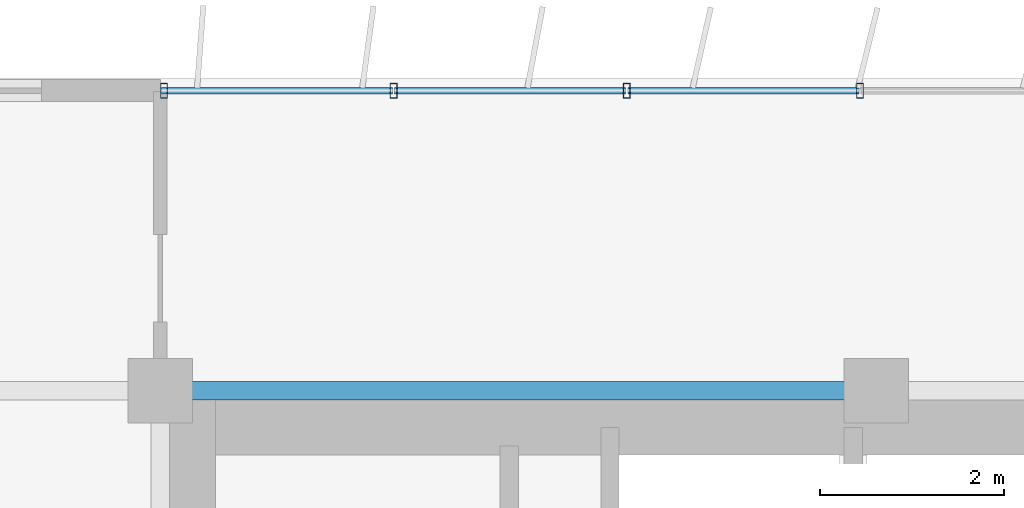
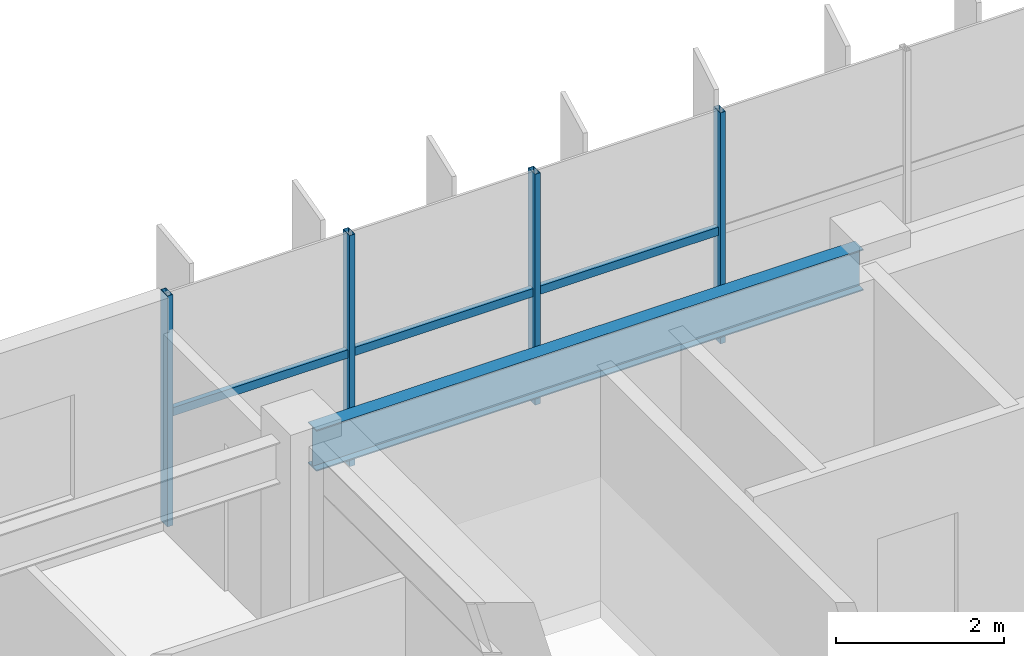
# One storey, part 4 of 21: 7 members, 1 beam, 1 element without a shape of its own.
"""IFC4 building model written with IfcOpenShell, lengths in metres."""

import ifcopenshell
import ifcopenshell.guid

model = None  # the IFC model being written
_history = None  # IfcOwnerHistory: only IFC2X3 demands one
_inside = {}  # id of a spatial element -> (the spatial element, [elements in it])
_under = {}  # id of a project, library or spatial element -> (it, [spatial elements below it])
_declared = {}  # id of a project -> (the project, [libraries it declares])
_typed = {}  # id of a type object -> (the type object, [elements of that type])
_made_of = {}  # id of a material, layer set ... -> (it, [elements and type objects made of it])


def new_model(schema):
    """Start an empty IFC model of exactly this schema.

    Asked for "IFC4X3", IfcOpenShell would pick the latest addendum, in which some entities
    have other attributes; the version numbers below select the first issue.
    IFC2X3 requires an IfcOwnerHistory on every rooted entity: one is made here for all.
    """
    global model, _history
    if schema == "IFC4X3":
        model = ifcopenshell.file(schema_version=(4, 3, 0, 0))
    else:
        model = ifcopenshell.file(schema=schema)
    _inside.clear()
    _under.clear()
    _declared.clear()
    _typed.clear()
    _made_of.clear()
    _history = None
    if model.schema == "IFC2X3":
        org = make("IfcOrganization", Name="unknown")
        user = make(
            "IfcPersonAndOrganization",
            ThePerson=make("IfcPerson", FamilyName="unknown"),
            TheOrganization=org,
        )
        app = make(
            "IfcApplication",
            ApplicationDeveloper=org,
            Version="unknown",
            ApplicationFullName="unknown",
            ApplicationIdentifier="unknown",
        )
        _history = make(
            "IfcOwnerHistory",
            OwningUser=user,
            OwningApplication=app,
            ChangeAction="ADDED",
            CreationDate=0,
        )
    return model


def make(cls, **values):
    """One entity of the class cls with the attributes given. An attribute that is None is left unset."""
    return model.create_entity(
        cls, **{name: value for name, value in values.items() if value is not None}
    )


def rooted(cls, **values):
    """An entity with a GlobalId (a new one), such as an element, a storey or a relation."""
    return make(cls, GlobalId=ifcopenshell.guid.new(), OwnerHistory=_history, **values)


def si_unit(unit_type, name, prefix=None):
    """IfcSIUnit, for example si_unit("LENGTHUNIT", "METRE", prefix="MILLI")."""
    return make("IfcSIUnit", UnitType=unit_type, Prefix=prefix, Name=name)


def assignment(units):
    """IfcUnitAssignment: the units of a project."""
    return None if units is None else make("IfcUnitAssignment", Units=units)


def point(xyz):
    """IfcCartesianPoint."""
    return None if xyz is None else make("IfcCartesianPoint", Coordinates=xyz)


def direction(xyz):
    """IfcDirection."""
    return None if xyz is None else make("IfcDirection", DirectionRatios=xyz)


def frame(location, z_axis=None, x_axis=None):
    """IfcAxis2Placement3D, a coordinate frame: its origin and axes. An axis left out is left unset."""
    return make(
        "IfcAxis2Placement3D",
        Location=point(location),
        Axis=direction(z_axis),
        RefDirection=direction(x_axis),
    )


def frame_2d(location, x_axis=None):
    """IfcAxis2Placement2D, a coordinate frame in the plane: its origin and x axis."""
    return make(
        "IfcAxis2Placement2D", Location=point(location), RefDirection=direction(x_axis)
    )


def origin():
    """The frame at (0, 0, 0) with its axes left unset."""
    return frame((0.0, 0.0, 0.0))


def origin_2d():
    """The frame at (0, 0) in the plane with its x axis left unset."""
    return frame_2d((0.0, 0.0))


def place(relative_to, where):
    """IfcLocalPlacement: puts the frame where relative to a parent placement (None: the world)."""
    return make(
        "IfcLocalPlacement", PlacementRelTo=relative_to, RelativePlacement=where
    )


def context(
    kind, dimensions, precision=None, world=None, true_north=None, identifier=None
):
    """IfcGeometricRepresentationContext, for example the 3D "Model" context."""
    return make(
        "IfcGeometricRepresentationContext",
        ContextIdentifier=identifier,
        ContextType=kind,
        CoordinateSpaceDimension=dimensions,
        Precision=precision,
        WorldCoordinateSystem=world,
        TrueNorth=true_north,
    )


def subcontext(parent, identifier, kind, view, scale=None):
    """IfcGeometricRepresentationSubContext, for example "Body" below "Model"."""
    return make(
        "IfcGeometricRepresentationSubContext",
        ContextIdentifier=identifier,
        ContextType=kind,
        ParentContext=parent,
        TargetScale=scale,
        TargetView=view,
    )


def project(units=None, contexts=None):
    """IfcProject with its units and contexts."""
    return rooted(
        "IfcProject",
        Name="project",
        RepresentationContexts=contexts,
        UnitsInContext=assignment(units),
    )


def spatial(cls, under=None, at=None, **own):
    """A site, building, storey or space (cls), placed at a placement, below another one or the project."""
    s = rooted(cls, ObjectPlacement=at, **own)
    if under is not None:
        _under.setdefault(under.id(), (under, []))[1].append(s)
    return s


def profile(cls, at=None, kind="AREA", **sizes):
    """A parametric profile (cls). Its sizes go by their IFC names, for example OverallWidth=200.0."""
    return make(cls, ProfileType=kind, Position=at, **sizes)


def hollow_rectangle(**sizes):
    """IfcRectangleHollowProfileDef."""
    return profile("IfcRectangleHollowProfileDef", **sizes)


def i_section(**sizes):
    """IfcIShapeProfileDef."""
    return profile("IfcIShapeProfileDef", **sizes)


def extrude(swept, where, along, depth):
    """IfcExtrudedAreaSolid: the profile swept, set in the frame where, extruded along a direction by depth."""
    return make(
        "IfcExtrudedAreaSolid",
        SweptArea=swept,
        Position=where,
        ExtrudedDirection=direction(along),
        Depth=depth,
    )


def shape(context_of_items, identifier, shape_type, items):
    """IfcShapeRepresentation: the items that make up one representation, for example the "Body"."""
    return make(
        "IfcShapeRepresentation",
        ContextOfItems=context_of_items,
        RepresentationIdentifier=identifier,
        RepresentationType=shape_type,
        Items=items,
    )


def source(mapping_origin, context_of_items, identifier, shape_type, items):
    """IfcRepresentationMap: a shape defined once, which mapped items show again and again."""
    return make(
        "IfcRepresentationMap",
        MappingOrigin=mapping_origin,
        MappedRepresentation=shape(context_of_items, identifier, shape_type, items),
    )


def transform(
    local_origin,
    x_axis=None,
    y_axis=None,
    z_axis=None,
    scale=None,
    scale2=None,
    scale3=None,
    uniform=True,
):
    """IfcCartesianTransformationOperator3D, or its non-uniform kind. x_axis, y_axis, z_axis: its Axis1, 2, 3."""
    if uniform:
        return make(
            "IfcCartesianTransformationOperator3D",
            Axis1=direction(x_axis),
            Axis2=direction(y_axis),
            LocalOrigin=point(local_origin),
            Scale=scale,
            Axis3=direction(z_axis),
        )
    return make(
        "IfcCartesianTransformationOperator3DnonUniform",
        Axis1=direction(x_axis),
        Axis2=direction(y_axis),
        LocalOrigin=point(local_origin),
        Scale=scale,
        Axis3=direction(z_axis),
        Scale2=scale2,
        Scale3=scale3,
    )


def mapped(mapping_source, mapping_target):
    """IfcMappedItem: shows the shape of a source again, moved by a transform."""
    return make(
        "IfcMappedItem", MappingSource=mapping_source, MappingTarget=mapping_target
    )


def material(Name=None, Category=None):
    """IfcMaterial."""
    return make("IfcMaterial", Name=Name, Category=Category)


def material_profile(
    of_material, cross_section, Name=None, Category=None, Priority=None
):
    """IfcMaterialProfile: a cross section and its material."""
    return make(
        "IfcMaterialProfile",
        Name=Name,
        Material=of_material,
        Profile=cross_section,
        Priority=Priority,
        Category=Category,
    )


def profile_set(profiles, Name=None, composite=None):
    """IfcMaterialProfileSet."""
    return make(
        "IfcMaterialProfileSet",
        Name=Name,
        MaterialProfiles=profiles,
        CompositeProfile=composite,
    )


def made_of(thing, what):
    """Note that an element or type object is made of a material, layer set ...; save() writes the relation."""
    if what is not None:
        _made_of.setdefault(what.id(), (what, []))[1].append(thing)
    return thing


def type_object(cls, material=None, **own):
    """A type object (cls), such as IfcWallType, which elements share."""
    return made_of(rooted(cls, **own), material)


def element(
    cls,
    number,
    at=None,
    inside=None,
    cuts=None,
    type_object=None,
    material=None,
    context=None,
    identifier="Body",
    shape_type=None,
    held_by="IfcProductDefinitionShape",
    body=None,
    shapes=None,
    **own,
):
    """One element of the class cls, such as IfcWall. Its Tag is "e" and its number.

    at: its placement. inside: the storey or other place that contains it. cuts: it is an
    opening in that element (IfcRelVoidsElement). A single representation is given by context,
    identifier, shape_type and body (its items); several are given by shapes. held_by: the class
    of the entity that holds the representations. save() writes the other relations.
    """
    e = rooted(cls, Tag="e%d" % number, ObjectPlacement=at, **own)
    if body is not None:
        shapes = [shape(context, identifier, shape_type, body)]
    if shapes is not None:
        e.Representation = make(held_by, Representations=shapes)
    if inside is not None:
        _inside.setdefault(inside.id(), (inside, []))[1].append(e)
    if cuts is not None:
        rooted(
            "IfcRelVoidsElement", RelatingBuildingElement=cuts, RelatedOpeningElement=e
        )
    if type_object is not None:
        _typed.setdefault(type_object.id(), (type_object, []))[1].append(e)
    return made_of(e, material)


def aggregate(whole, parts):
    """IfcRelAggregates: a whole, such as a stair, and the parts it consists of."""
    return rooted("IfcRelAggregates", RelatingObject=whole, RelatedObjects=parts)


def save(model, path):
    """Write the relations noted so far, then the file.

    IfcRelAggregates (storeys below a building ...), IfcRelContainedInSpatialStructure (elements
    in a storey), IfcRelDefinesByType, IfcRelAssociatesMaterial and IfcRelDeclares: one each for
    every whole, place, type object, material and project.
    """
    for whole, parts in _under.values():
        aggregate(whole, parts)
    for where, things in _inside.values():
        rooted(
            "IfcRelContainedInSpatialStructure",
            RelatedElements=things,
            RelatingStructure=where,
        )
    for kind, things in _typed.values():
        rooted("IfcRelDefinesByType", RelatedObjects=things, RelatingType=kind)
    for what, things in _made_of.values():
        rooted("IfcRelAssociatesMaterial", RelatedObjects=things, RelatingMaterial=what)
    for by, libraries in _declared.values():
        rooted("IfcRelDeclares", RelatingContext=by, RelatedDefinitions=libraries)
    model.write(path)


model = new_model("IFC4")

# Units and contexts
model_context = context("Model", 3, precision=1e-05, world=origin(), true_north=direction((0.0, 1.0)))
body_context = subcontext(model_context, "Body", "Model", "MODEL_VIEW")
ifc_project = project(units=[si_unit("LENGTHUNIT", "METRE"), si_unit("AREAUNIT", "SQUARE_METRE"), si_unit("VOLUMEUNIT", "CUBIC_METRE"), si_unit("PLANEANGLEUNIT", "RADIAN"), si_unit("MASSUNIT", "GRAM", prefix="KILO")], contexts=[model_context])

# Site, building, storey
site_placement = place(None, origin())
site = spatial("IfcSite", under=ifc_project, at=site_placement, CompositionType="ELEMENT")
building_placement = place(site_placement, origin())
building = spatial("IfcBuilding", under=site, at=building_placement, Name="Trelvane Seafront Commons", CompositionType="ELEMENT")
storey_placement = place(building_placement, frame((0.0, 0.0, 135.699951171875)))
storey = spatial("IfcBuildingStorey", under=building, at=storey_placement, Name="L35", CompositionType="ELEMENT", Elevation=135.699951171875)

# Beam
ifc_material_1 = material(Name="Steel SM355 (S355)", Category="steel")
ifc_material_profile_1 = material_profile(ifc_material_1, i_section(OverallWidth=0.199951171875, OverallDepth=0.60009765625, WebThickness=0.010986328125, FlangeThickness=0.01708984375, at=origin_2d()), Name="H-600x200x11x17")
ifc_profile_set_1 = profile_set([ifc_material_profile_1], Name="Steel SM355 (S355)")
beam_type = type_object("IfcBeamType", Name="STR-SPD-H600", PredefinedType="SPANDREL", material=ifc_profile_set_1)
shared_shape_1 = source(origin(), body_context, "Body", "SweptSolid", [
    extrude(i_section(OverallWidth=0.199951171875, OverallDepth=0.60009765625, WebThickness=0.010986328125, FlangeThickness=0.01708984375, at=origin_2d()), origin(), (0.0, 0.0, 1.0), 7.5),
])
beam_placement = place(storey_placement, frame((15.75, 45.10009765625, 3.050048828125), z_axis=(1.0, 0.0, 0.0), x_axis=(0.0, 1.0, 0.0)))
element("IfcBeam", 1, at=beam_placement, inside=storey, type_object=beam_type, Name="L35 Primary Girder G-23", PredefinedType="SPANDREL", context=body_context, shape_type="MappedRepresentation", body=[
    mapped(shared_shape_1, transform((0.0, 0.0, 0.0), x_axis=(1.0, 0.0, 0.0), y_axis=(0.0, 1.0, 0.0), z_axis=(0.0, 0.0, 1.0), scale=1.0)),
])

# Curtain wall, members
ifc_material_2 = material(Name="Anodised pale-silver aluminium", Category="aluminium")
curtain_wall_type = type_object("IfcCurtainWallType", Name="ARCH-CW5-UPTOWER", PredefinedType="NOTDEFINED", material=ifc_material_2)
curtain_wall_placement = place(storey_placement, origin())
curtain_wall = element("IfcCurtainWall", 2, at=curtain_wall_placement, inside=storey, type_object=curtain_wall_type, Name="CW-L35-0062", PredefinedType="NOTDEFINED")
ifc_material_profile_2 = material_profile(ifc_material_2, hollow_rectangle(XDim=0.070068359375, YDim=0.1201171875, WallThickness=0.00390625, at=origin_2d()), Name="TRAN-70x120x4")
ifc_profile_set_2 = profile_set([ifc_material_profile_2], Name="Anodised pale-silver aluminium")
member_type_1 = type_object("IfcMemberType", Name="ARCH-CW-TRAN-120", PredefinedType="USERDEFINED", material=ifc_profile_set_2)
shared_shape_2 = source(origin(), body_context, "Body", "SweptSolid", [
    extrude(hollow_rectangle(XDim=0.070068359375, YDim=0.1201171875, WallThickness=0.00390625, at=origin_2d()), origin(), (0.0, 0.0, 1.0), 2.51708984375),
])
member_1_placement = place(storey_placement, frame((15.612060546875, 48.3701171875, 1.608154296875), z_axis=(1.0, 0.0, 0.0), x_axis=(0.0, 1.0, 0.0)))
member_1 = element("IfcMember", 3, at=member_1_placement, type_object=member_type_1, Name="CW-L35-0062-T00", ObjectType="TRANSOM", PredefinedType="USERDEFINED", context=body_context, shape_type="MappedRepresentation", body=[
    mapped(shared_shape_2, transform((0.0, 0.0, 0.0), x_axis=(1.0, 0.0, 0.0), y_axis=(0.0, 1.0, 0.0), z_axis=(0.0, 0.0, 1.0), scale=1.0)),
])
member_2_placement = place(storey_placement, frame((18.1533203125, 48.3701171875, 1.608154296875), z_axis=(1.0, 0.0, 0.0), x_axis=(0.0, 1.0, 0.0)))
member_2 = element("IfcMember", 4, at=member_2_placement, type_object=member_type_1, Name="CW-L35-0062-T01", ObjectType="TRANSOM", PredefinedType="USERDEFINED", context=body_context, shape_type="MappedRepresentation", body=[
    mapped(shared_shape_2, transform((0.0, 0.0, 0.0), x_axis=(1.0, 0.0, 0.0), y_axis=(0.0, 1.0, 0.0), z_axis=(0.0, 0.0, 1.0), scale=1.0)),
])
member_3_placement = place(storey_placement, frame((20.6943359375, 48.3701171875, 1.608154296875), z_axis=(1.0, 0.0, 0.0), x_axis=(0.0, 1.0, 0.0)))
member_3 = element("IfcMember", 5, at=member_3_placement, type_object=member_type_1, Name="CW-L35-0062-T02", ObjectType="TRANSOM", PredefinedType="USERDEFINED", context=body_context, shape_type="MappedRepresentation", body=[
    mapped(shared_shape_2, transform((0.0, 0.0, 0.0), x_axis=(1.0, 0.0, 0.0), y_axis=(0.0, 1.0, 0.0), z_axis=(0.0, 0.0, 1.0), scale=1.0)),
])
ifc_material_profile_3 = material_profile(ifc_material_2, hollow_rectangle(XDim=0.074951171875, YDim=0.159912109375, WallThickness=0.00390625, at=origin_2d()), Name="MULL-75x160x4")
ifc_profile_set_3 = profile_set([ifc_material_profile_3], Name="Anodised pale-silver aluminium")
member_type_2 = type_object("IfcMemberType", Name="ARCH-CW-MULL-160", PredefinedType="MULLION", material=ifc_profile_set_3)
shared_shape_3 = source(origin(), body_context, "Body", "SweptSolid", [
    extrude(hollow_rectangle(XDim=0.074951171875, YDim=0.159912109375, WallThickness=0.00390625, at=origin_2d()), origin(), (0.0, 0.0, 1.0), 3.35009765625),
])
member_4_placement = place(storey_placement, frame((15.639892578125, 48.3701171875, 0.0), z_axis=(0.0, 0.0, 1.0), x_axis=(1.0, 0.0, 0.0)))
member_4 = element("IfcMember", 6, at=member_4_placement, type_object=member_type_2, Name="CW-L35-0062-M00", PredefinedType="MULLION", context=body_context, shape_type="MappedRepresentation", body=[
    mapped(shared_shape_3, transform((0.0, 0.0, 0.0), x_axis=(1.0, 0.0, 0.0), y_axis=(0.0, 1.0, 0.0), z_axis=(0.0, 0.0, 1.0), scale=1.0)),
])
member_5_placement = place(storey_placement, frame((18.14111328125, 48.3701171875, 0.0), z_axis=(0.0, 0.0, 1.0), x_axis=(1.0, 0.0, 0.0)))
member_5 = element("IfcMember", 7, at=member_5_placement, type_object=member_type_2, Name="CW-L35-0062-M01", PredefinedType="MULLION", context=body_context, shape_type="MappedRepresentation", body=[
    mapped(shared_shape_3, transform((0.0, 0.0, 0.0), x_axis=(1.0, 0.0, 0.0), y_axis=(0.0, 1.0, 0.0), z_axis=(0.0, 0.0, 1.0), scale=1.0)),
])
member_6_placement = place(storey_placement, frame((20.682373046875, 48.3701171875, 0.0), z_axis=(0.0, 0.0, 1.0), x_axis=(1.0, 0.0, 0.0)))
member_6 = element("IfcMember", 8, at=member_6_placement, type_object=member_type_2, Name="CW-L35-0062-M02", PredefinedType="MULLION", context=body_context, shape_type="MappedRepresentation", body=[
    mapped(shared_shape_3, transform((0.0, 0.0, 0.0), x_axis=(1.0, 0.0, 0.0), y_axis=(0.0, 1.0, 0.0), z_axis=(0.0, 0.0, 1.0), scale=1.0)),
])
member_7_placement = place(storey_placement, frame((23.223388671875, 48.3701171875, 0.0), z_axis=(0.0, 0.0, 1.0), x_axis=(1.0, 0.0, 0.0)))
member_7 = element("IfcMember", 9, at=member_7_placement, type_object=member_type_2, Name="CW-L35-0062-M03", PredefinedType="MULLION", context=body_context, shape_type="MappedRepresentation", body=[
    mapped(shared_shape_3, transform((0.0, 0.0, 0.0), x_axis=(1.0, 0.0, 0.0), y_axis=(0.0, 1.0, 0.0), z_axis=(0.0, 0.0, 1.0), scale=1.0)),
])
aggregate(curtain_wall, [member_4, member_5, member_6, member_7, member_1, member_2, member_3])

save(model, "model.ifc")
